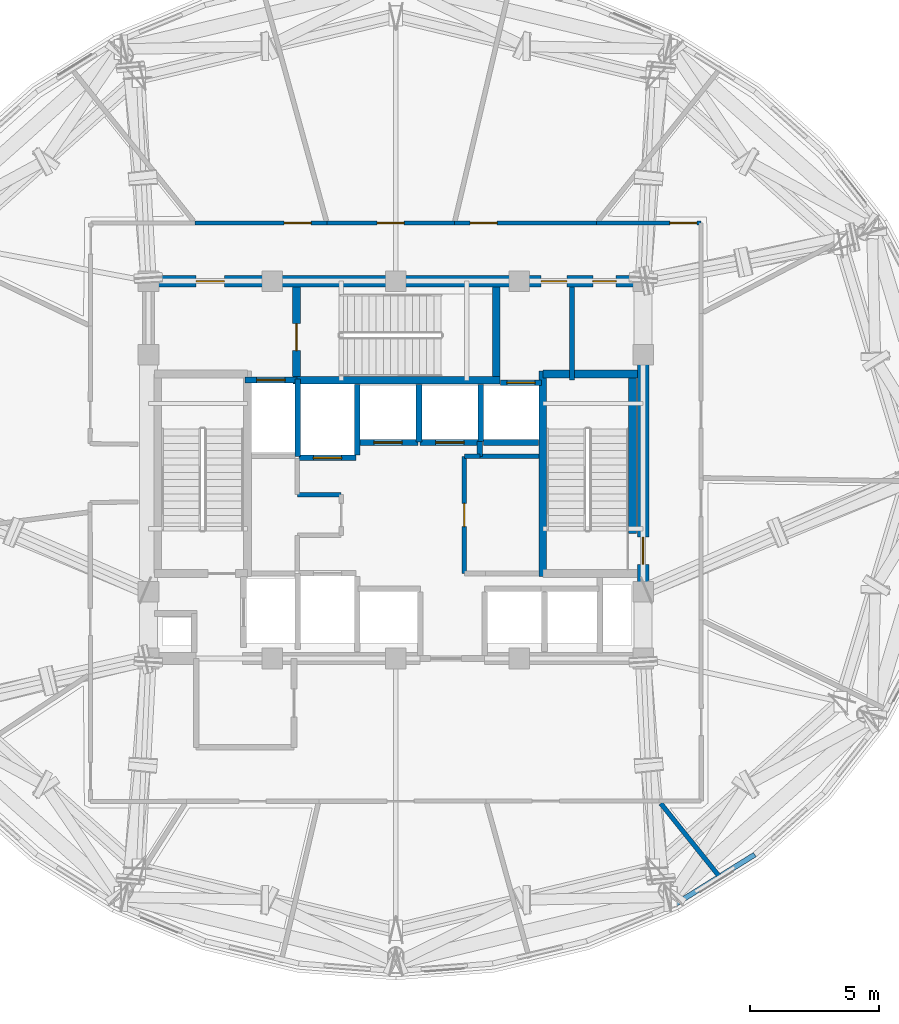
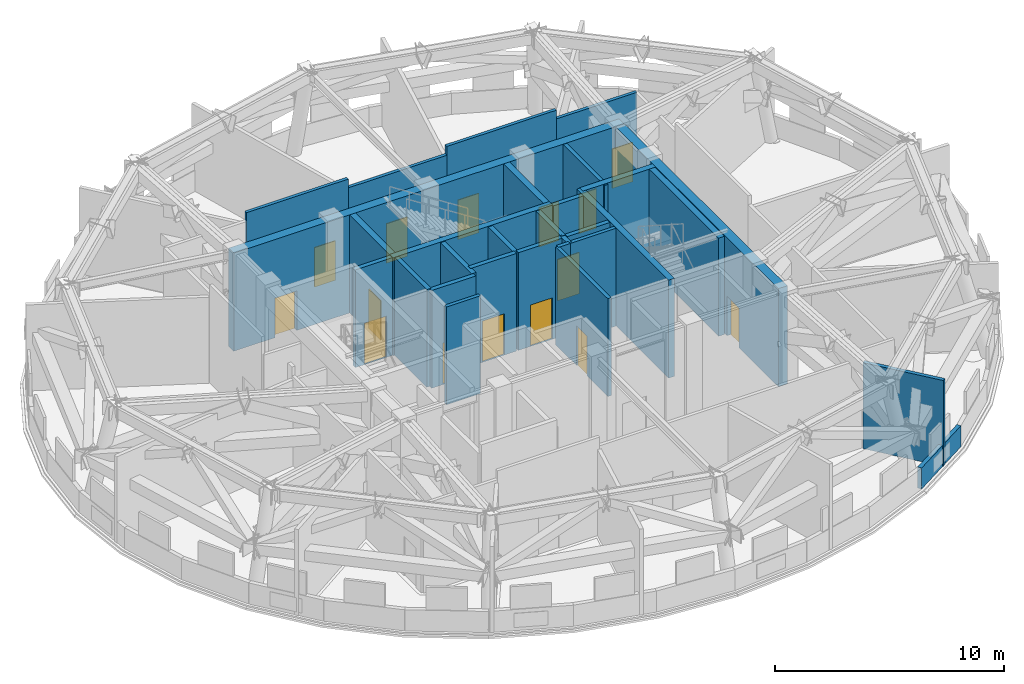
# One storey, part 8 of 13: 30 walls, 15 doors, 15 openings.
"""IFC4 building model written with IfcOpenShell, lengths in metres."""

from ifc_helpers import new_model, si_unit, direction, frame, frame_2d, origin, place, context, subcontext, project, spatial, rectangle, extrude, material, layer, layer_set, type_object, element, fill, save


model = new_model("IFC4")

# Units and contexts
model_context = context("Model", 3, precision=1e-05, world=origin(), true_north=direction((0.0, 1.0)))
body_context = subcontext(model_context, "Body", "Model", "MODEL_VIEW")
ifc_project = project(units=[si_unit("LENGTHUNIT", "METRE"), si_unit("AREAUNIT", "SQUARE_METRE"), si_unit("VOLUMEUNIT", "CUBIC_METRE"), si_unit("PLANEANGLEUNIT", "RADIAN"), si_unit("MASSUNIT", "GRAM", prefix="KILO")], contexts=[model_context])

# Site, building, storey
site_placement = place(None, origin())
site = spatial("IfcSite", under=ifc_project, at=site_placement, CompositionType="ELEMENT")
building_placement = place(site_placement, origin())
building = spatial("IfcBuilding", under=site, at=building_placement, Name="Vantalir Tower", CompositionType="ELEMENT")
storey_placement = place(building_placement, frame((0.0, 0.0, 253.64990234375)))
storey = spatial("IfcBuildingStorey", under=building, at=storey_placement, Name="L64", CompositionType="ELEMENT", Elevation=253.64990234375)

# Wall, openings, doors
ifc_material_1 = material(Name="Concrete C50/60", Category="concrete")
ifc_layer_1 = layer(ifc_material_1, 0.449951171875)
ifc_layer_set_1 = layer_set([ifc_layer_1], Name="Concrete C50/60")
wall_type_1 = type_object("IfcWallType", Name="WL-CORE-450", PredefinedType="SHEAR", material=ifc_layer_set_1)
wall_1_placement = place(storey_placement, frame((21.675048828125, 32.449951171875, 0.0), z_axis=(0.0, 0.0, 1.0), x_axis=(1.0, 0.0, 0.0)))
wall_1 = element("IfcWall", 1, at=wall_1_placement, inside=storey, type_object=wall_type_1, Name="L64 Core Shear Wall North", PredefinedType="SHEAR", context=body_context, shape_type="SweptSolid", body=[
    extrude(rectangle(XDim=19.64990234375, YDim=0.449951171875, at=frame_2d((9.824951171875, 0.0))), origin(), (0.0, 0.0, 1.0), 5.22021484375),
])
opening_1_placement = place(wall_1_placement, frame((2.074951171875, 0.0, 0.0)))
opening_1 = element("IfcOpeningElement", 2, at=opening_1_placement, cuts=wall_1, Name="Opening D-FFL", PredefinedType="OPENING", context=body_context, shape_type="SweptSolid", body=[
    extrude(rectangle(XDim=1.10009765625, YDim=2.10009765625, at=frame_2d((0.550048828125, 1.050048828125))), frame((0.0, 0.23486328125, 0.0), z_axis=(0.0, -1.0, 0.0), x_axis=(1.0, 0.0, 0.0)), (0.0, 0.0, 1.0), 0.469970703125),
])
opening_2_placement = place(wall_1_placement, frame((15.465087890625, 0.0, 0.0)))
opening_2 = element("IfcOpeningElement", 3, at=opening_2_placement, cuts=wall_1, Name="Opening D-GUEST", PredefinedType="OPENING", context=body_context, shape_type="SweptSolid", body=[
    extrude(rectangle(XDim=1.0, YDim=2.10009765625, at=frame_2d((0.5, 1.050048828125))), frame((0.0, 0.23486328125, 0.0), z_axis=(0.0, -1.0, 0.0), x_axis=(1.0, 0.0, 0.0)), (0.0, 0.0, 1.0), 0.469970703125),
])
opening_3_placement = place(wall_1_placement, frame((17.47509765625, 0.0, 0.0)))
opening_3 = element("IfcOpeningElement", 4, at=opening_3_placement, cuts=wall_1, Name="Opening D-CR", PredefinedType="OPENING", context=body_context, shape_type="SweptSolid", body=[
    extrude(rectangle(XDim=0.89990234375, YDim=2.10009765625, at=frame_2d((0.449951171875, 1.050048828125))), frame((0.0, 0.23486328125, 0.0), z_axis=(0.0, -1.0, 0.0), x_axis=(1.0, 0.0, 0.0)), (0.0, 0.0, 1.0), 0.469970703125),
])
ifc_material_2 = material(Name="Fire-rated steel core service door", Category="steel")
door_type_1 = type_object("IfcDoorType", Name="DR-CORE-SERV-900", OperationType="NOTDEFINED", PredefinedType="DOOR", material=ifc_material_2)
door_1_placement = place(opening_3_placement, frame((0.89990234375, 0.0, 0.0), z_axis=(0.0, 0.0, 1.0), x_axis=(-1.0, 0.0, 0.0)))
door_1 = element("IfcDoor", 5, at=door_1_placement, inside=storey, type_object=door_type_1, Name="L64 Housekeeping and Linen Room Door", OperationType="SINGLE_SWING_RIGHT", OverallHeight=2.10009765625, OverallWidth=0.89990234375, PredefinedType="DOOR", context=body_context, shape_type="SweptSolid", body=[
    extrude(rectangle(XDim=0.89990234375, YDim=2.10009765625, at=frame_2d((0.449951171875, 1.050048828125))), frame((0.0, 0.02490234375, 0.0), z_axis=(0.0, -1.0, 0.0), x_axis=(1.0, 0.0, 0.0)), (0.0, 0.0, 1.0), 0.050048828125),
])
fill(opening_3, door_1)
ifc_material_3 = material(Name="Fire-rated acoustic steel door", Category="steel")
door_type_2 = type_object("IfcDoorType", Name="DR-FIRE-LOBBY-1100", OperationType="NOTDEFINED", PredefinedType="DOOR", material=ifc_material_3)
door_2_placement = place(opening_1_placement, frame((1.10009765625, 0.0, 0.0), z_axis=(0.0, 0.0, 1.0), x_axis=(-1.0, 0.0, 0.0)))
door_2 = element("IfcDoor", 6, at=door_2_placement, inside=storey, type_object=door_type_2, Name="L64 Firefighting Lobby East Access Door", OperationType="SINGLE_SWING_RIGHT", OverallHeight=2.10009765625, OverallWidth=1.10009765625, PredefinedType="DOOR", context=body_context, shape_type="SweptSolid", body=[
    extrude(rectangle(XDim=1.10009765625, YDim=2.10009765625, at=frame_2d((0.550048828125, 1.050048828125))), frame((0.0, 0.02490234375, 0.0), z_axis=(0.0, -1.0, 0.0), x_axis=(1.0, 0.0, 0.0)), (0.0, 0.0, 1.0), 0.050048828125),
])
fill(opening_1, door_2)
ifc_material_4 = material(Name="Solid-core teak veneer acoustic fire door", Category="wood")
door_type_3 = type_object("IfcDoorType", Name="DR-GUEST-ENTRY-1000", OperationType="NOTDEFINED", PredefinedType="DOOR", material=ifc_material_4)
door_3_placement = place(opening_2_placement, frame((1.0, 0.0, 0.0), z_axis=(0.0, 0.0, 1.0), x_axis=(-1.0, 0.0, 0.0)))
door_3 = element("IfcDoor", 7, at=door_3_placement, inside=storey, type_object=door_type_3, Name="L64 High-Rise Lift Lobby Door", OperationType="SINGLE_SWING_LEFT", OverallHeight=2.10009765625, OverallWidth=1.0, PredefinedType="DOOR", context=body_context, shape_type="SweptSolid", body=[
    extrude(rectangle(XDim=1.0, YDim=2.10009765625, at=frame_2d((0.5, 1.050048828125))), frame((0.0, 0.02490234375, 0.0), z_axis=(0.0, -1.0, 0.0), x_axis=(1.0, 0.0, 0.0)), (0.0, 0.0, 1.0), 0.050048828125),
])
fill(opening_2, door_3)

# Wall, opening, door
wall_2_placement = place(storey_placement, frame((41.10009765625, 18.02490234375, 0.0), z_axis=(0.0, 0.0, 1.0), x_axis=(0.0, 1.0, 0.0)))
wall_2 = element("IfcWall", 8, at=wall_2_placement, inside=storey, type_object=wall_type_1, Name="L64 Core Shear Wall East", PredefinedType="SHEAR", context=body_context, shape_type="SweptSolid", body=[
    extrude(rectangle(XDim=14.2001953125, YDim=0.449951171875, at=frame_2d((7.10009765625, 0.0))), origin(), (0.0, 0.0, 1.0), 5.22021484375),
])
opening_4_placement = place(wall_2_placement, frame((3.43505859375, 0.0, 0.0)))
opening_4 = element("IfcOpeningElement", 9, at=opening_4_placement, cuts=wall_2, Name="Opening D-ST", PredefinedType="OPENING", context=body_context, shape_type="SweptSolid", body=[
    extrude(rectangle(XDim=1.050048828125, YDim=2.10009765625, at=frame_2d((0.52490234375, 1.050048828125))), frame((0.0, 0.23486328125, 0.0), z_axis=(0.0, -1.0, 0.0), x_axis=(1.0, 0.0, 0.0)), (0.0, 0.0, 1.0), 0.469970703125),
])
ifc_material_5 = material(Name="Fire-rated steel door leaf", Category="steel")
door_type_4 = type_object("IfcDoorType", Name="DR-FIRE-STAIR-1050", OperationType="NOTDEFINED", PredefinedType="DOOR", material=ifc_material_5)
door_4_placement = place(opening_4_placement, origin())
door_4 = element("IfcDoor", 10, at=door_4_placement, inside=storey, type_object=door_type_4, Name="L64 Exit Stair ST2 Fire Door", OperationType="SINGLE_SWING_LEFT", OverallHeight=2.10009765625, OverallWidth=1.050048828125, PredefinedType="DOOR", context=body_context, shape_type="SweptSolid", body=[
    extrude(rectangle(XDim=1.050048828125, YDim=2.10009765625, at=frame_2d((0.52490234375, 1.050048828125))), frame((0.0, 0.02490234375, 0.0), z_axis=(0.0, -1.0, 0.0), x_axis=(1.0, 0.0, 0.0)), (0.0, 0.0, 1.0), 0.050048828125),
])
fill(opening_4, door_4)

ifc_material_6 = material(Name="Fire-rated hotel corridor acoustic partition", Category="gypsum")
ifc_layer_2 = layer(ifc_material_6, 0.159912109375)
ifc_layer_set_2 = layer_set([ifc_layer_2], Name="Fire-rated hotel corridor acoustic partition")
wall_type_2 = type_object("IfcWallType", Name="WL-CORR-160", PredefinedType="PARTITIONING", material=ifc_layer_set_2)
wall_3_placement = place(storey_placement, frame((23.7109375, 34.7109375, 0.0), z_axis=(0.0, 0.0, 1.0), x_axis=(1.0, 0.0, 0.0)))
wall_3 = element("IfcWall", 11, at=wall_3_placement, inside=storey, type_object=wall_type_2, Name="L64 Corridor Partition 05", PredefinedType="PARTITIONING", context=body_context, shape_type="SweptSolid", body=[
    extrude(rectangle(XDim=5.115966796875, YDim=0.159912109375, at=frame_2d((2.55810546875, 0.0))), origin(), (0.0, 0.0, 1.0), 5.2001953125),
])
opening_5_placement = place(wall_3_placement, frame((3.4560546875, 0.0, 0.0)))
opening_5 = element("IfcOpeningElement", 12, at=opening_5_placement, cuts=wall_3, Name="Opening D-ST", PredefinedType="OPENING", context=body_context, shape_type="SweptSolid", body=[
    extrude(rectangle(XDim=1.050048828125, YDim=2.10009765625, at=frame_2d((0.52490234375, 1.050048828125))), frame((0.0, 0.08984375, 0.0), z_axis=(0.0, -1.0, 0.0), x_axis=(1.0, 0.0, 0.0)), (0.0, 0.0, 1.0), 0.179931640625),
])
door_5_placement = place(opening_5_placement, origin())
door_5 = element("IfcDoor", 13, at=door_5_placement, inside=storey, type_object=door_type_4, Name="L64 North Dehumidification Plant Room Door", OperationType="SINGLE_SWING_LEFT", OverallHeight=2.10009765625, OverallWidth=1.050048828125, PredefinedType="DOOR", context=body_context, shape_type="SweptSolid", body=[
    extrude(rectangle(XDim=1.050048828125, YDim=2.10009765625, at=frame_2d((0.52490234375, 1.050048828125))), frame((0.0, 0.02490234375, 0.0), z_axis=(0.0, -1.0, 0.0), x_axis=(1.0, 0.0, 0.0)), (0.0, 0.0, 1.0), 0.050048828125),
])
fill(opening_5, door_5)

wall_4_placement = place(storey_placement, frame((28.826904296875, 34.7109375, 0.0), z_axis=(0.0, 0.0, 1.0), x_axis=(0.999999980556, -0.00019719976, 0.0)))
wall_4 = element("IfcWall", 14, at=wall_4_placement, inside=storey, type_object=wall_type_2, Name="L64 Corridor Partition 06", PredefinedType="PARTITIONING", context=body_context, shape_type="SweptSolid", body=[
    extrude(rectangle(XDim=4.9521484375, YDim=0.159912109375, at=frame_2d((2.47607421875, 0.0))), origin(), (0.0, 0.0, 1.0), 4.733154296875),
])
opening_6_placement = place(wall_4_placement, frame((1.950927734375, 0.0, 0.0)))
opening_6 = element("IfcOpeningElement", 15, at=opening_6_placement, cuts=wall_4, Name="Opening D-ST", PredefinedType="OPENING", context=body_context, shape_type="SweptSolid", body=[
    extrude(rectangle(XDim=1.050048828125, YDim=2.10009765625, at=frame_2d((0.52490234375, 1.050048828125))), frame((0.0, 0.08984375, 0.0), z_axis=(0.0, -1.0, 0.0), x_axis=(1.0, 0.0, 0.0)), (0.0, 0.0, 1.0), 0.179931640625),
])
door_6_placement = place(opening_6_placement, origin())
door_6 = element("IfcDoor", 16, at=door_6_placement, inside=storey, type_object=door_type_4, Name="L64 Refuge Area North Door", OperationType="SINGLE_SWING_RIGHT", OverallHeight=2.10009765625, OverallWidth=1.050048828125, PredefinedType="DOOR", context=body_context, shape_type="SweptSolid", body=[
    extrude(rectangle(XDim=1.050048828125, YDim=2.10009765625, at=frame_2d((0.52490234375, 1.050048828125))), frame((0.0, 0.02490234375, 0.0), z_axis=(0.0, -1.0, 0.0), x_axis=(1.0, 0.0, 0.0)), (0.0, 0.0, 1.0), 0.050048828125),
])
fill(opening_6, door_6)

wall_5_placement = place(storey_placement, frame((33.779052734375, 34.7099609375, 0.0), z_axis=(0.0, 0.0, 1.0), x_axis=(0.999999984288, -0.000177265674, 0.0)))
wall_5 = element("IfcWall", 17, at=wall_5_placement, inside=storey, type_object=wall_type_2, Name="L64 Corridor Partition 07", PredefinedType="PARTITIONING", context=body_context, shape_type="SweptSolid", body=[
    extrude(rectangle(XDim=5.509033203125, YDim=0.159912109375, at=frame_2d((2.75439453125, 0.0))), origin(), (0.0, 0.0, 1.0), 5.2001953125),
])
opening_7_placement = place(wall_5_placement, frame((0.60302734375, 0.0, 0.0)))
opening_7 = element("IfcOpeningElement", 18, at=opening_7_placement, cuts=wall_5, Name="Opening D-ST", PredefinedType="OPENING", context=body_context, shape_type="SweptSolid", body=[
    extrude(rectangle(XDim=1.050048828125, YDim=2.10009765625, at=frame_2d((0.52490234375, 1.050048828125))), frame((0.0, 0.08984375, 0.0), z_axis=(0.0, -1.0, 0.0), x_axis=(1.0, 0.0, 0.0)), (0.0, 0.0, 1.0), 0.179931640625),
])
door_7_placement = place(opening_7_placement, origin())
door_7 = element("IfcDoor", 19, at=door_7_placement, inside=storey, type_object=door_type_4, Name="L64 East Air Handling Plant Room Door", OperationType="SINGLE_SWING_LEFT", OverallHeight=2.10009765625, OverallWidth=1.050048828125, PredefinedType="DOOR", context=body_context, shape_type="SweptSolid", body=[
    extrude(rectangle(XDim=1.050048828125, YDim=2.10009765625, at=frame_2d((0.52490234375, 1.050048828125))), frame((0.0, 0.02490234375, 0.0), z_axis=(0.0, -1.0, 0.0), x_axis=(1.0, 0.0, 0.0)), (0.0, 0.0, 1.0), 0.050048828125),
])
fill(opening_7, door_7)

wall_6_placement = place(storey_placement, frame((39.2880859375, 34.708984375, 0.0), z_axis=(0.0, 0.0, 1.0), x_axis=(0.999999971055, -0.000240601497, 0.0)))
wall_6 = element("IfcWall", 20, at=wall_6_placement, inside=storey, type_object=wall_type_2, Name="L64 Corridor Partition 08", PredefinedType="PARTITIONING", context=body_context, shape_type="SweptSolid", body=[
    extrude(rectangle(XDim=4.058837890625, YDim=0.159912109375, at=frame_2d((2.029296875, 0.0))), origin(), (0.0, 0.0, 1.0), 4.733154296875),
])
opening_8_placement = place(wall_6_placement, frame((2.84912109375, 0.0, 0.0)))
opening_8 = element("IfcOpeningElement", 21, at=opening_8_placement, cuts=wall_6, Name="Opening D-ST", PredefinedType="OPENING", context=body_context, shape_type="SweptSolid", body=[
    extrude(rectangle(XDim=1.050048828125, YDim=2.10009765625, at=frame_2d((0.52490234375, 1.050048828125))), frame((0.0, 0.08984375, 0.0), z_axis=(0.0, -1.0, 0.0), x_axis=(1.0, 0.0, 0.0)), (0.0, 0.0, 1.0), 0.179931640625),
])
door_8_placement = place(opening_8_placement, origin())
door_8 = element("IfcDoor", 22, at=door_8_placement, inside=storey, type_object=door_type_4, Name="L64 Plate Heat Exchanger Plant Room Door", OperationType="SINGLE_SWING_RIGHT", OverallHeight=2.10009765625, OverallWidth=1.050048828125, PredefinedType="DOOR", context=body_context, shape_type="SweptSolid", body=[
    extrude(rectangle(XDim=1.050048828125, YDim=2.10009765625, at=frame_2d((0.52490234375, 1.050048828125))), frame((0.0, 0.02490234375, 0.0), z_axis=(0.0, -1.0, 0.0), x_axis=(1.0, 0.0, 0.0)), (0.0, 0.0, 1.0), 0.050048828125),
])
fill(opening_8, door_8)

# Walls
ifc_material_7 = material(Name="Concrete blockwork with fireboard lining", Category="masonry")
ifc_layer_3 = layer(ifc_material_7, 0.219970703125)
ifc_layer_set_3 = layer_set([ifc_layer_3], Name="Concrete blockwork with fireboard lining")
wall_type_3 = type_object("IfcWallType", Name="WL-FFL-220", PredefinedType="PARTITIONING", material=ifc_layer_set_3)
wall_7_placement = place(storey_placement, frame((30.0, 25.7099609375, 0.0), z_axis=(0.0, 0.0, 1.0), x_axis=(0.0, 1.0, 0.0)))
element("IfcWall", 23, at=wall_7_placement, inside=storey, type_object=wall_type_3, Name="L64 Service Lift SV2 East Shaft Wall", PredefinedType="PARTITIONING", context=body_context, shape_type="SweptSolid", body=[
    extrude(rectangle(XDim=2.72998046875, YDim=0.219970703125, at=frame_2d((1.364990234375, 0.0))), origin(), (0.0, 0.0, 1.0), 5.195068359375),
])
wall_8_placement = place(storey_placement, frame((32.39990234375, 26.199951171875, 0.0), z_axis=(0.0, 0.0, 1.0), x_axis=(0.0, 1.0, 0.0)))
element("IfcWall", 24, at=wall_8_placement, inside=storey, type_object=wall_type_3, Name="L64 High-Rise Lift PL-H1/H2 Shaft Divider", PredefinedType="PARTITIONING", context=body_context, shape_type="SweptSolid", body=[
    extrude(rectangle(XDim=2.239990234375, YDim=0.219970703125, at=frame_2d((1.1201171875, 0.0))), origin(), (0.0, 0.0, 1.0), 5.195068359375),
])
wall_9_placement = place(storey_placement, frame((34.800048828125, 26.22998046875, 0.0), z_axis=(0.0, 0.0, 1.0), x_axis=(0.0, 1.0, 0.0)))
element("IfcWall", 25, at=wall_9_placement, inside=storey, type_object=wall_type_3, Name="L64 High-Rise Lift PL-H2/H3 Shaft Divider", PredefinedType="PARTITIONING", context=body_context, shape_type="SweptSolid", body=[
    extrude(rectangle(XDim=2.2099609375, YDim=0.219970703125, at=frame_2d((1.10498046875, 0.0))), origin(), (0.0, 0.0, 1.0), 5.195068359375),
])
wall_10_placement = place(storey_placement, frame((34.909912109375, 26.18994140625, 0.0), z_axis=(0.0, 0.0, 1.0), x_axis=(1.0, 0.0, 0.0)))
element("IfcWall", 26, at=wall_10_placement, inside=storey, type_object=wall_type_3, Name="L64 High-Rise Lift PL-H3 Rear Shaft Wall", PredefinedType="PARTITIONING", context=body_context, shape_type="SweptSolid", body=[
    extrude(rectangle(XDim=2.14013671875, YDim=0.219970703125, at=frame_2d((1.070068359375, 0.0))), origin(), (0.0, 0.0, 1.0), 5.195068359375),
])

# Wall, opening, door
wall_11_placement = place(storey_placement, frame((25.639892578125, 28.610107421875, 0.0), z_axis=(0.0, 0.0, 1.0), x_axis=(1.0, 0.0, 0.0)))
wall_11 = element("IfcWall", 27, at=wall_11_placement, inside=storey, type_object=wall_type_3, Name="L64 Lift FL2 Shaft Front Wall", PredefinedType="PARTITIONING", context=body_context, shape_type="SweptSolid", body=[
    extrude(rectangle(XDim=2.02001953125, YDim=0.219970703125, at=frame_2d((1.010009765625, 0.0))), origin(), (0.0, 0.0, 1.0), 5.2001953125),
])
opening_9_placement = place(wall_11_placement, frame((0.4599609375, 0.0, 0.0)))
opening_9 = element("IfcOpeningElement", 28, at=opening_9_placement, cuts=wall_11, Name="Opening LD-FL2", PredefinedType="OPENING", context=body_context, shape_type="SweptSolid", body=[
    extrude(rectangle(XDim=1.10009765625, YDim=2.199951171875, at=frame_2d((0.550048828125, 1.10009765625))), frame((0.0, 0.119873046875, 0.0), z_axis=(0.0, -1.0, 0.0), x_axis=(1.0, 0.0, 0.0)), (0.0, 0.0, 1.0), 0.239990234375),
])
ifc_material_8 = material(Name="Brushed stainless-steel sliding lift landing door", Category="steel")
door_type_5 = type_object("IfcDoorType", Name="DR-LIFT-LANDING-1100", OperationType="DOUBLE_DOOR_SLIDING", PredefinedType="DOOR", material=ifc_material_8)
door_9_placement = place(opening_9_placement, origin())
door_9 = element("IfcDoor", 29, at=door_9_placement, inside=storey, type_object=door_type_5, Name="L64 Lift Landing Door FL2", OperationType="DOUBLE_DOOR_SLIDING", OverallHeight=2.199951171875, OverallWidth=1.10009765625, PredefinedType="DOOR", context=body_context, shape_type="SweptSolid", body=[
    extrude(rectangle(XDim=1.10009765625, YDim=2.199951171875, at=frame_2d((0.550048828125, 1.10009765625))), frame((0.0, 0.02490234375, 0.0), z_axis=(0.0, -1.0, 0.0), x_axis=(1.0, 0.0, 0.0)), (0.0, 0.0, 1.0), 0.050048828125),
])
fill(opening_9, door_9)

wall_12_placement = place(storey_placement, frame((27.739990234375, 25.590087890625, 0.0), z_axis=(0.0, 0.0, 1.0), x_axis=(1.0, 0.0, 0.0)))
wall_12 = element("IfcWall", 30, at=wall_12_placement, inside=storey, type_object=wall_type_3, Name="L64 Lift SV2 Shaft Front Wall", PredefinedType="PARTITIONING", context=body_context, shape_type="SweptSolid", body=[
    extrude(rectangle(XDim=2.219970703125, YDim=0.219970703125, at=frame_2d((1.10986328125, 0.0))), origin(), (0.0, 0.0, 1.0), 5.2001953125),
])
opening_10_placement = place(wall_12_placement, frame((0.56005859375, 0.0, 0.0)))
opening_10 = element("IfcOpeningElement", 31, at=opening_10_placement, cuts=wall_12, Name="Opening LD-SV2", PredefinedType="OPENING", context=body_context, shape_type="SweptSolid", body=[
    extrude(rectangle(XDim=1.10009765625, YDim=2.199951171875, at=frame_2d((0.550048828125, 1.10009765625))), frame((0.0, 0.119873046875, 0.0), z_axis=(0.0, -1.0, 0.0), x_axis=(1.0, 0.0, 0.0)), (0.0, 0.0, 1.0), 0.239990234375),
])
door_10_placement = place(opening_10_placement, frame((1.10009765625, 0.0, 0.0), z_axis=(0.0, 0.0, 1.0), x_axis=(-1.0, 0.0, 0.0)))
door_10 = element("IfcDoor", 32, at=door_10_placement, inside=storey, type_object=door_type_5, Name="L64 Lift Landing Door SV2", OperationType="DOUBLE_DOOR_SLIDING", OverallHeight=2.199951171875, OverallWidth=1.10009765625, PredefinedType="DOOR", context=body_context, shape_type="SweptSolid", body=[
    extrude(rectangle(XDim=1.10009765625, YDim=2.199951171875, at=frame_2d((0.550048828125, 1.10009765625))), frame((0.0, 0.02490234375, 0.0), z_axis=(0.0, -1.0, 0.0), x_axis=(1.0, 0.0, 0.0)), (0.0, 0.0, 1.0), 0.050048828125),
])
fill(opening_10, door_10)

wall_13_placement = place(storey_placement, frame((30.0400390625, 26.18994140625, 0.0), z_axis=(0.0, 0.0, 1.0), x_axis=(1.0, 0.0, 0.0)))
wall_13 = element("IfcWall", 33, at=wall_13_placement, inside=storey, type_object=wall_type_3, Name="L64 Lift PL-H1 Shaft Front Wall", PredefinedType="PARTITIONING", context=body_context, shape_type="SweptSolid", body=[
    extrude(rectangle(XDim=2.320068359375, YDim=0.219970703125, at=frame_2d((1.16015625, 0.0))), origin(), (0.0, 0.0, 1.0), 5.2001953125),
])
opening_11_placement = place(wall_13_placement, frame((0.610107421875, 0.0, 0.0)))
opening_11 = element("IfcOpeningElement", 34, at=opening_11_placement, cuts=wall_13, Name="Opening LD-PL-H1", PredefinedType="OPENING", context=body_context, shape_type="SweptSolid", body=[
    extrude(rectangle(XDim=1.10009765625, YDim=2.199951171875, at=frame_2d((0.550048828125, 1.10009765625))), frame((0.0, 0.119873046875, 0.0), z_axis=(0.0, -1.0, 0.0), x_axis=(1.0, 0.0, 0.0)), (0.0, 0.0, 1.0), 0.239990234375),
])
door_11_placement = place(opening_11_placement, frame((1.10009765625, 0.0, 0.0), z_axis=(0.0, 0.0, 1.0), x_axis=(-1.0, 0.0, 0.0)))
door_11 = element("IfcDoor", 35, at=door_11_placement, inside=storey, type_object=door_type_5, Name="L64 Lift Landing Door PL-H1", OperationType="DOUBLE_DOOR_SLIDING", OverallHeight=2.199951171875, OverallWidth=1.10009765625, PredefinedType="DOOR", context=body_context, shape_type="SweptSolid", body=[
    extrude(rectangle(XDim=1.10009765625, YDim=2.199951171875, at=frame_2d((0.550048828125, 1.10009765625))), frame((0.0, 0.02490234375, 0.0), z_axis=(0.0, -1.0, 0.0), x_axis=(1.0, 0.0, 0.0)), (0.0, 0.0, 1.0), 0.050048828125),
])
fill(opening_11, door_11)

wall_14_placement = place(storey_placement, frame((32.43994140625, 26.18994140625, 0.0), z_axis=(0.0, 0.0, 1.0), x_axis=(1.0, 0.0, 0.0)))
wall_14 = element("IfcWall", 36, at=wall_14_placement, inside=storey, type_object=wall_type_3, Name="L64 Lift PL-H2 Shaft Front Wall", PredefinedType="PARTITIONING", context=body_context, shape_type="SweptSolid", body=[
    extrude(rectangle(XDim=2.320068359375, YDim=0.219970703125, at=frame_2d((1.16015625, 0.0))), origin(), (0.0, 0.0, 1.0), 5.2001953125),
])
opening_12_placement = place(wall_14_placement, frame((0.610107421875, 0.0, 0.0)))
opening_12 = element("IfcOpeningElement", 37, at=opening_12_placement, cuts=wall_14, Name="Opening LD-PL-H2", PredefinedType="OPENING", context=body_context, shape_type="SweptSolid", body=[
    extrude(rectangle(XDim=1.10009765625, YDim=2.199951171875, at=frame_2d((0.550048828125, 1.10009765625))), frame((0.0, 0.119873046875, 0.0), z_axis=(0.0, -1.0, 0.0), x_axis=(1.0, 0.0, 0.0)), (0.0, 0.0, 1.0), 0.239990234375),
])
door_12_placement = place(opening_12_placement, frame((1.10009765625, 0.0, 0.0), z_axis=(0.0, 0.0, 1.0), x_axis=(-1.0, 0.0, 0.0)))
door_12 = element("IfcDoor", 38, at=door_12_placement, inside=storey, type_object=door_type_5, Name="L64 Lift Landing Door PL-H2", OperationType="DOUBLE_DOOR_SLIDING", OverallHeight=2.199951171875, OverallWidth=1.10009765625, PredefinedType="DOOR", context=body_context, shape_type="SweptSolid", body=[
    extrude(rectangle(XDim=1.10009765625, YDim=2.199951171875, at=frame_2d((0.550048828125, 1.10009765625))), frame((0.0, 0.02490234375, 0.0), z_axis=(0.0, -1.0, 0.0), x_axis=(1.0, 0.0, 0.0)), (0.0, 0.0, 1.0), 0.050048828125),
])
fill(opening_12, door_12)

wall_15_placement = place(storey_placement, frame((35.56005859375, 28.510009765625, 0.0), z_axis=(0.0, 0.0, 1.0), x_axis=(1.0, 0.0, 0.0)))
wall_15 = element("IfcWall", 39, at=wall_15_placement, inside=storey, type_object=wall_type_3, Name="L64 Lift PL-H3 Shaft Front Wall", PredefinedType="PARTITIONING", context=body_context, shape_type="SweptSolid", body=[
    extrude(rectangle(XDim=1.599853515625, YDim=0.219970703125, at=frame_2d((0.7998046875, 0.0))), origin(), (0.0, 0.0, 1.0), 5.2001953125),
])
opening_13_placement = place(wall_15_placement, frame((0.25, 0.0, 0.0)))
opening_13 = element("IfcOpeningElement", 40, at=opening_13_placement, cuts=wall_15, Name="Opening LD-PL-H3", PredefinedType="OPENING", context=body_context, shape_type="SweptSolid", body=[
    extrude(rectangle(XDim=1.10009765625, YDim=2.199951171875, at=frame_2d((0.550048828125, 1.10009765625))), frame((0.0, 0.119873046875, 0.0), z_axis=(0.0, -1.0, 0.0), x_axis=(1.0, 0.0, 0.0)), (0.0, 0.0, 1.0), 0.239990234375),
])
door_13_placement = place(opening_13_placement, origin())
door_13 = element("IfcDoor", 41, at=door_13_placement, inside=storey, type_object=door_type_5, Name="L64 Lift Landing Door PL-H3", OperationType="DOUBLE_DOOR_SLIDING", OverallHeight=2.199951171875, OverallWidth=1.10009765625, PredefinedType="DOOR", context=body_context, shape_type="SweptSolid", body=[
    extrude(rectangle(XDim=1.10009765625, YDim=2.199951171875, at=frame_2d((0.550048828125, 1.10009765625))), frame((0.0, 0.02490234375, 0.0), z_axis=(0.0, -1.0, 0.0), x_axis=(1.0, 0.0, 0.0)), (0.0, 0.0, 1.0), 0.050048828125),
])
fill(opening_13, door_13)

# Walls
wall_16_placement = place(storey_placement, frame((27.699951171875, 25.64990234375, 0.0), z_axis=(0.0, 0.0, 1.0), x_axis=(0.0, 1.0, 0.0)))
element("IfcWall", 42, at=wall_16_placement, inside=storey, type_object=wall_type_3, Name="L64 Fire Lift FL2 Dividing Wall", PredefinedType="PARTITIONING", context=body_context, shape_type="SweptSolid", body=[
    extrude(rectangle(XDim=3.0, YDim=0.219970703125, at=frame_2d((1.5, 0.0))), origin(), (0.0, 0.0, 1.0), 5.2001953125),
])
wall_17_placement = place(storey_placement, frame((34.760009765625, 25.64990234375, 0.0), z_axis=(0.0, 0.0, 1.0), x_axis=(0.0, 1.0, 0.0)))
element("IfcWall", 43, at=wall_17_placement, inside=storey, type_object=wall_type_3, Name="L64 High-Rise Shaft Shoulder Wall", PredefinedType="PARTITIONING", context=body_context, shape_type="SweptSolid", body=[
    extrude(rectangle(XDim=0.570068359375, YDim=0.219970703125, at=frame_2d((0.28515625, 0.0))), origin(), (0.0, 0.0, 1.0), 5.2001953125),
])
ifc_material_9 = material(Name="Twin-stud acoustic fire-rated gypsum partition", Category="gypsum")
ifc_layer_4 = layer(ifc_material_9, 0.179931640625)
ifc_layer_set_4 = layer_set([ifc_layer_4], Name="Twin-stud acoustic fire-rated gypsum partition")
wall_type_4 = type_object("IfcWallType", Name="WL-GUEST-180", PredefinedType="PARTITIONING", material=ifc_layer_set_4)
wall_18_placement = place(storey_placement, frame((27.679931640625, 24.159912109375, 0.0), z_axis=(0.0, 0.0, 1.0), x_axis=(1.0, 0.0, 0.0)))
element("IfcWall", 44, at=wall_18_placement, inside=storey, type_object=wall_type_4, Name="L64 West IT Room Alcove North Wall", PredefinedType="PARTITIONING", context=body_context, shape_type="SweptSolid", body=[
    extrude(rectangle(XDim=1.699951171875, YDim=0.179931640625, at=frame_2d((0.85009765625, 0.0))), origin(), (0.0, 0.0, 1.0), 5.2001953125),
])
wall_19_placement = place(storey_placement, frame((34.719970703125, 25.64990234375, 0.0), z_axis=(0.0, 0.0, 1.0), x_axis=(1.0, 0.0, 0.0)))
element("IfcWall", 45, at=wall_19_placement, inside=storey, type_object=wall_type_4, Name="L64 Freed East Core North Wall", PredefinedType="PARTITIONING", context=body_context, shape_type="SweptSolid", body=[
    extrude(rectangle(XDim=2.340087890625, YDim=0.179931640625, at=frame_2d((1.169921875, 0.0))), origin(), (0.0, 0.0, 1.0), 5.2001953125),
])
wall_20_placement = place(storey_placement, frame((34.159912109375, 25.64990234375, 0.0), z_axis=(0.0, 0.0, 1.0), x_axis=(1.0, 0.0, 0.0)))
element("IfcWall", 46, at=wall_20_placement, inside=storey, type_object=wall_type_4, Name="L64 East IT Room North Return", PredefinedType="PARTITIONING", context=body_context, shape_type="SweptSolid", body=[
    extrude(rectangle(XDim=0.60009765625, YDim=0.179931640625, at=frame_2d((0.300048828125, 0.0))), origin(), (0.0, 0.0, 1.0), 5.2001953125),
])

# Wall, opening, door
wall_21_placement = place(storey_placement, frame((34.159912109375, 21.10009765625, 0.0), z_axis=(0.0, 0.0, 1.0), x_axis=(0.0, 1.0, 0.0)))
wall_21 = element("IfcWall", 47, at=wall_21_placement, inside=storey, type_object=wall_type_4, Name="L64 East IT Room West Wall", PredefinedType="PARTITIONING", context=body_context, shape_type="SweptSolid", body=[
    extrude(rectangle(XDim=4.5498046875, YDim=0.179931640625, at=frame_2d((2.27490234375, 0.0))), origin(), (0.0, 0.0, 1.0), 5.2001953125),
])
opening_14_placement = place(wall_21_placement, frame((1.824951171875, 0.0, 0.0)))
opening_14 = element("IfcOpeningElement", 48, at=opening_14_placement, cuts=wall_21, Name="Opening D-CR", PredefinedType="OPENING", context=body_context, shape_type="SweptSolid", body=[
    extrude(rectangle(XDim=0.89990234375, YDim=2.10009765625, at=frame_2d((0.449951171875, 1.050048828125))), frame((0.0, 0.099853515625, 0.0), z_axis=(0.0, -1.0, 0.0), x_axis=(1.0, 0.0, 0.0)), (0.0, 0.0, 1.0), 0.199951171875),
])
door_14_placement = place(opening_14_placement, frame((0.89990234375, 0.0, 0.0), z_axis=(0.0, 0.0, 1.0), x_axis=(-1.0, 0.0, 0.0)))
door_14 = element("IfcDoor", 49, at=door_14_placement, inside=storey, type_object=door_type_1, Name="L64 Core Data Switchroom Door", OperationType="SINGLE_SWING_RIGHT", OverallHeight=2.10009765625, OverallWidth=0.89990234375, PredefinedType="DOOR", context=body_context, shape_type="SweptSolid", body=[
    extrude(rectangle(XDim=0.89990234375, YDim=2.10009765625, at=frame_2d((0.449951171875, 1.050048828125))), frame((0.0, 0.02490234375, 0.0), z_axis=(0.0, -1.0, 0.0), x_axis=(1.0, 0.0, 0.0)), (0.0, 0.0, 1.0), 0.050048828125),
])
fill(opening_14, door_14)

# Walls
wall_22_placement = place(storey_placement, frame((38.340087890625, 28.6201171875, 0.0), z_axis=(0.0, 0.0, 1.0), x_axis=(0.0, 1.0, 0.0)))
element("IfcWall", 50, at=wall_22_placement, inside=storey, type_object=wall_type_4, Name="L64 High-Rise Lift Lobby East Wall", PredefinedType="PARTITIONING", context=body_context, shape_type="SweptSolid", body=[
    extrude(rectangle(XDim=3.60498046875, YDim=0.179931640625, at=frame_2d((1.802490234375, 0.0))), origin(), (0.0, 0.0, 1.0), 5.2001953125),
])
wall_23_placement = place(storey_placement, frame((41.787109375, 12.175048828125, 0.0), z_axis=(0.0, 0.0, 1.0), x_axis=(0.625589202781, -0.780152644912, 0.0)))
element("IfcWall", 51, at=wall_23_placement, inside=storey, type_object=wall_type_4, Name="L64 Radial Suite Partition 13", PredefinedType="PARTITIONING", context=body_context, shape_type="SweptSolid", body=[
    extrude(rectangle(XDim=3.760986328125, YDim=0.179931640625, at=frame_2d((1.88037109375, 0.0))), origin(), (0.0, 0.0, 1.0), 4.5751953125),
])
ifc_material_10 = material(Name="Concrete C40/50 parapet upstand", Category="concrete")
ifc_layer_5 = layer(ifc_material_10, 0.199951171875)
ifc_layer_set_5 = layer_set([ifc_layer_5], Name="Concrete C40/50 parapet upstand")
wall_type_5 = type_object("IfcWallType", Name="WL-PARA-200", PredefinedType="PARAPET", material=ifc_layer_set_5)
wall_24_placement = place(storey_placement, frame((42.340087890625, 8.256103515625, 0.0), z_axis=(0.0, 0.0, 1.0), x_axis=(0.84825750298, 0.529583995828, 0.0)))
element("IfcWall", 52, at=wall_24_placement, inside=storey, type_object=wall_type_5, Name="L64 Refuge Perimeter Parapet R31", PredefinedType="PARAPET", context=body_context, shape_type="SweptSolid", body=[
    extrude(rectangle(XDim=3.649658203125, YDim=0.199951171875, at=frame_2d((1.82470703125, 0.0))), origin(), (0.0, 0.0, 1.0), 1.1201171875),
])
ifc_layer_6 = layer(ifc_material_1, 0.300048828125)
ifc_layer_set_6 = layer_set([ifc_layer_6], Name="Concrete C50/60")
wall_type_6 = type_object("IfcWallType", Name="WL-STAIR-300", PredefinedType="SHEAR", material=ifc_layer_set_6)
wall_25_placement = place(storey_placement, frame((37.2099609375, 28.85009765625, 0.0), z_axis=(0.0, 0.0, 1.0), x_axis=(1.0, 0.0, 0.0)))
element("IfcWall", 53, at=wall_25_placement, inside=storey, type_object=wall_type_6, Name="L64 Stair ST2 North Wall", PredefinedType="SHEAR", context=body_context, shape_type="SweptSolid", body=[
    extrude(rectangle(XDim=3.6650390625, YDim=0.300048828125, at=frame_2d((1.83251953125, 0.0))), origin(), (0.0, 0.0, 1.0), 5.22021484375),
])
wall_26_placement = place(storey_placement, frame((37.2099609375, 20.97998046875, 0.0), z_axis=(0.0, 0.0, 1.0), x_axis=(0.0, 1.0, 0.0)))
element("IfcWall", 54, at=wall_26_placement, inside=storey, type_object=wall_type_6, Name="L64 Stair ST2 West Wall", PredefinedType="SHEAR", context=body_context, shape_type="SweptSolid", body=[
    extrude(rectangle(XDim=7.989990234375, YDim=0.300048828125, at=frame_2d((3.9951171875, 0.0))), origin(), (0.0, 0.0, 1.0), 5.22021484375),
])
wall_27_placement = place(storey_placement, frame((40.68994140625, 22.64990234375, 0.0), z_axis=(0.0, 0.0, 1.0), x_axis=(0.0, 1.0, 0.0)))
element("IfcWall", 55, at=wall_27_placement, inside=storey, type_object=wall_type_6, Name="L64 Stair ST2 East Liner Wall", PredefinedType="SHEAR", context=body_context, shape_type="SweptSolid", body=[
    extrude(rectangle(XDim=6.2001953125, YDim=0.300048828125, at=frame_2d((3.10009765625, 0.0))), origin(), (0.0, 0.0, 1.0), 5.22021484375),
])
wall_28_placement = place(storey_placement, frame((27.510009765625, 28.60009765625, 0.0), z_axis=(0.0, 0.0, 1.0), x_axis=(1.0, 0.0, 0.0)))
element("IfcWall", 56, at=wall_28_placement, inside=storey, type_object=wall_type_6, Name="L64 Stair ST3 South Wall", PredefinedType="SHEAR", context=body_context, shape_type="SweptSolid", body=[
    extrude(rectangle(XDim=8.030029296875, YDim=0.300048828125, at=frame_2d((4.01513671875, 0.0))), origin(), (0.0, 0.0, 1.0), 5.22021484375),
])

# Wall, opening, door
wall_29_placement = place(storey_placement, frame((27.64990234375, 28.75, 0.0), z_axis=(0.0, 0.0, 1.0), x_axis=(0.0, 1.0, 0.0)))
wall_29 = element("IfcWall", 57, at=wall_29_placement, inside=storey, type_object=wall_type_6, Name="L64 Stair ST3 West Wall", PredefinedType="SHEAR", context=body_context, shape_type="SweptSolid", body=[
    extrude(rectangle(XDim=3.47509765625, YDim=0.300048828125, at=frame_2d((1.737548828125, 0.0))), origin(), (0.0, 0.0, 1.0), 5.22021484375),
])
opening_15_placement = place(wall_29_placement, frame((1.0, 0.0, 0.0)))
opening_15 = element("IfcOpeningElement", 58, at=opening_15_placement, cuts=wall_29, Name="Opening D-ST", PredefinedType="OPENING", context=body_context, shape_type="SweptSolid", body=[
    extrude(rectangle(XDim=1.050048828125, YDim=2.10009765625, at=frame_2d((0.52490234375, 1.050048828125))), frame((0.0, 0.159912109375, 0.0), z_axis=(0.0, -1.0, 0.0), x_axis=(1.0, 0.0, 0.0)), (0.0, 0.0, 1.0), 0.320068359375),
])
door_15_placement = place(opening_15_placement, frame((1.050048828125, 0.0, 0.0), z_axis=(0.0, 0.0, 1.0), x_axis=(-1.0, 0.0, 0.0)))
door_15 = element("IfcDoor", 59, at=door_15_placement, inside=storey, type_object=door_type_4, Name="L64 Exit Stair ST3 Fire Door", OperationType="SINGLE_SWING_LEFT", OverallHeight=2.10009765625, OverallWidth=1.050048828125, PredefinedType="DOOR", context=body_context, shape_type="SweptSolid", body=[
    extrude(rectangle(XDim=1.050048828125, YDim=2.10009765625, at=frame_2d((0.52490234375, 1.050048828125))), frame((0.0, 0.02490234375, 0.0), z_axis=(0.0, -1.0, 0.0), x_axis=(1.0, 0.0, 0.0)), (0.0, 0.0, 1.0), 0.050048828125),
])
fill(opening_15, door_15)

# Wall
wall_30_placement = place(storey_placement, frame((35.39990234375, 28.75, 0.0), z_axis=(0.0, 0.0, 1.0), x_axis=(0.0, 1.0, 0.0)))
element("IfcWall", 60, at=wall_30_placement, inside=storey, type_object=wall_type_6, Name="L64 Stair ST3 East Wall", PredefinedType="SHEAR", context=body_context, shape_type="SweptSolid", body=[
    extrude(rectangle(XDim=3.47509765625, YDim=0.300048828125, at=frame_2d((1.737548828125, 0.0))), origin(), (0.0, 0.0, 1.0), 5.22021484375),
])

save(model, "model.ifc")
